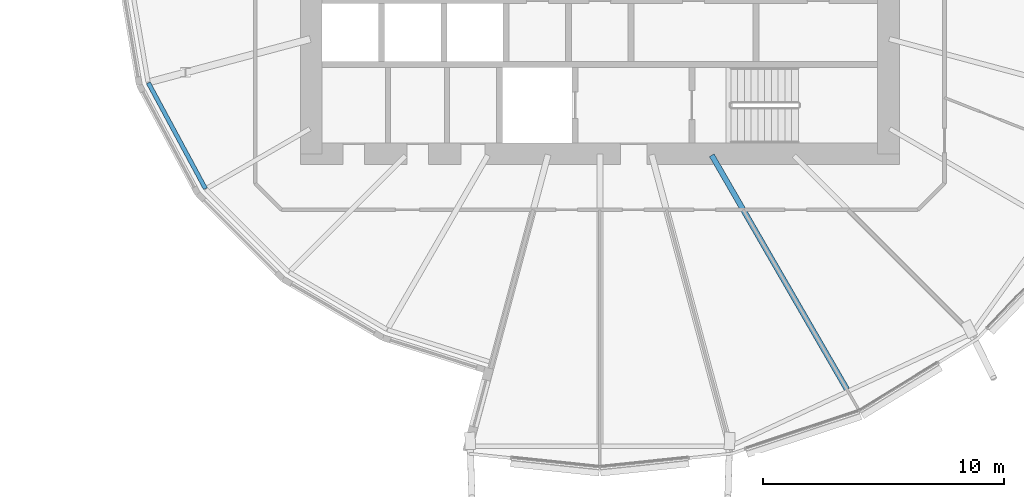
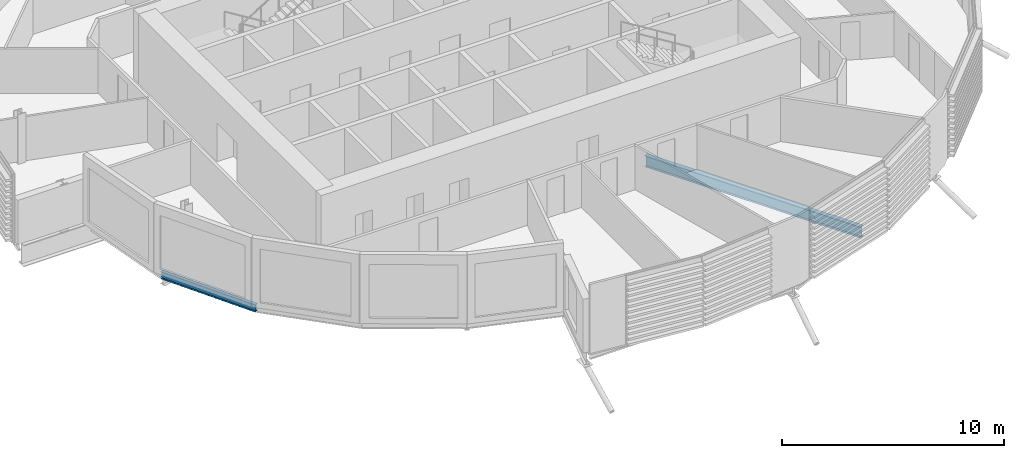
# One storey, part 4 of 38: 2 beams.
"""IFC4 building model written with IfcOpenShell, lengths in metres."""

from ifc_helpers import new_model, si_unit, direction, frame, origin, origin_2d, place, context, subcontext, project, spatial, i_section, extrude, material, material_profile, profile_set, type_object, element, save


model = new_model("IFC4")

# Units and contexts
model_context = context("Model", 3, precision=1e-05, world=origin(), true_north=direction((0.0, 1.0)))
body_context = subcontext(model_context, "Body", "Model", "MODEL_VIEW")
ifc_project = project(units=[si_unit("LENGTHUNIT", "METRE"), si_unit("AREAUNIT", "SQUARE_METRE"), si_unit("VOLUMEUNIT", "CUBIC_METRE"), si_unit("PLANEANGLEUNIT", "RADIAN"), si_unit("MASSUNIT", "GRAM", prefix="KILO")], contexts=[model_context])

# Site, building, storey
site_placement = place(None, origin())
site = spatial("IfcSite", under=ifc_project, at=site_placement, CompositionType="ELEMENT")
building_placement = place(site_placement, origin())
building = spatial("IfcBuilding", under=site, at=building_placement, Name="Rimbun Link Towers", CompositionType="ELEMENT")
storey_placement = place(building_placement, frame((0.0, 0.0, 68.0)))
storey = spatial("IfcBuildingStorey", under=building, at=storey_placement, Name="L16", CompositionType="ELEMENT", Elevation=68.0)

# Beams
ifc_material_1 = material(Name="Steel S355J2", Category="steel")
ifc_material_profile_1 = material_profile(ifc_material_1, i_section(OverallWidth=0.177978515625, OverallDepth=0.406494140625, WebThickness=0.0078125, FlangeThickness=0.0126953125, at=origin_2d()), Name="UB 406x178x60")
ifc_profile_set_1 = profile_set([ifc_material_profile_1], Name="Steel S355J2")
beam_type_1 = type_object("IfcBeamType", Name="UB 406x178x60", PredefinedType="BEAM", material=ifc_profile_set_1)
beam_1_placement = place(storey_placement, frame((-50.52001953125, -5.045166015625, -0.36328125), z_axis=(0.474885218183, -0.880047742768, 0.0), x_axis=(0.880047742768, 0.474885218183, 0.0)))
element("IfcBeam", 1, at=beam_1_placement, inside=storey, type_object=beam_type_1, Name="Edge beam T1 L16 13 recess", PredefinedType="BEAM", context=body_context, shape_type="SweptSolid", body=[
    extrude(i_section(OverallWidth=0.177978515625, OverallDepth=0.406494140625, WebThickness=0.0078125, FlangeThickness=0.0126953125, at=origin_2d()), origin(), (0.0, 0.0, 1.0), 5.003662109375),
])
ifc_material_2 = material(Name="Steel S355J2", Category="steel")
ifc_material_profile_2 = material_profile(ifc_material_2, i_section(OverallWidth=0.2275390625, OverallDepth=0.6025390625, WebThickness=0.010498046875, FlangeThickness=0.014892578125, at=origin_2d()), Name="UB 610x229x101")
ifc_profile_set_2 = profile_set([ifc_material_profile_2], Name="Steel S355J2")
beam_type_2 = type_object("IfcBeamType", Name="UB 610x229x101", PredefinedType="BEAM", material=ifc_profile_set_2)
beam_2_placement = place(storey_placement, frame((-27.097900390625, -8.057861328125, -0.461181640625), z_axis=(0.50001148964, -0.866018770136, 0.0), x_axis=(0.866018770136, 0.50001148964, 0.0)))
element("IfcBeam", 2, at=beam_2_placement, inside=storey, type_object=beam_type_2, Name="Radial beam T1 L16 20", PredefinedType="BEAM", context=body_context, shape_type="SweptSolid", body=[
    extrude(i_section(OverallWidth=0.2275390625, OverallDepth=0.6025390625, WebThickness=0.010498046875, FlangeThickness=0.014892578125, at=origin_2d()), origin(), (0.0, 0.0, 1.0), 11.235595703125),
])

save(model, "model.ifc")
